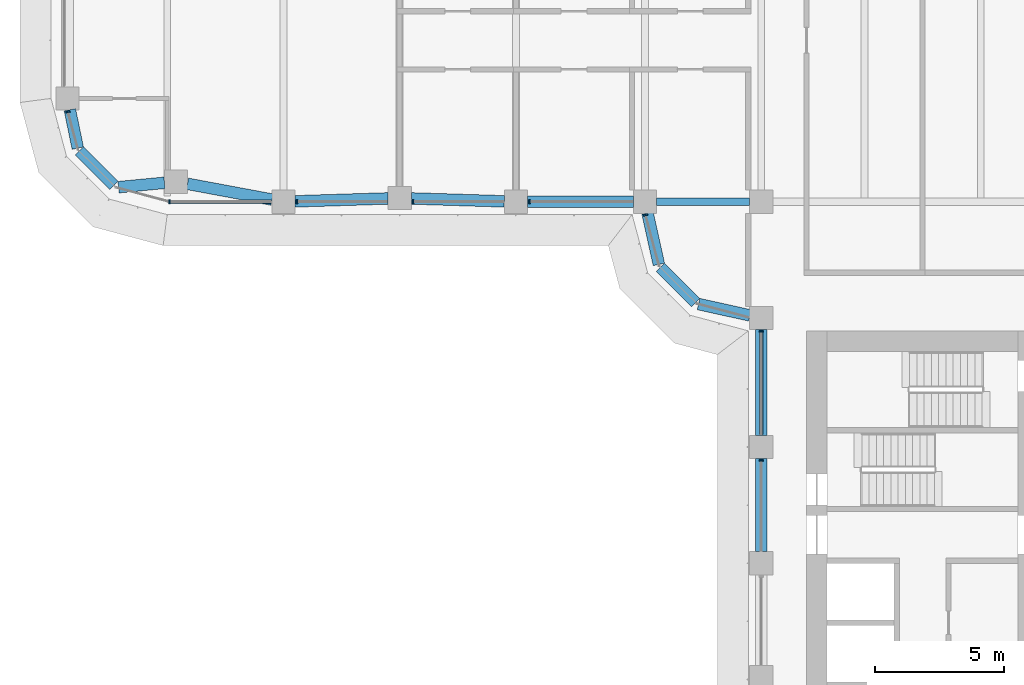
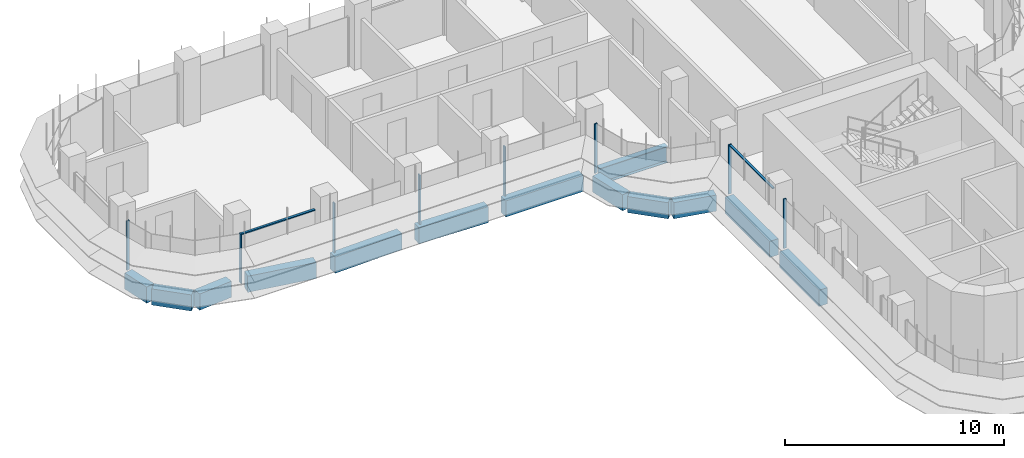
# One storey, part 3 of 23: 13 beams, 10 members, 4 elements without a shape of their own.
"""IFC4 building model written with IfcOpenShell, lengths in metres."""

from ifc_helpers import new_model, si_unit, direction, frame, origin, origin_2d, place, context, subcontext, project, spatial, polyline, rectangle, i_section, outline, extrude, source, transform, mapped, material, material_profile, profile_set, type_object, element, aggregate, save


model = new_model("IFC4")

# Units and contexts
model_context = context("Model", 3, precision=1e-05, world=origin(), true_north=direction((0.0, 1.0)))
body_context = subcontext(model_context, "Body", "Model", "MODEL_VIEW")
ifc_project = project(units=[si_unit("LENGTHUNIT", "METRE"), si_unit("AREAUNIT", "SQUARE_METRE"), si_unit("VOLUMEUNIT", "CUBIC_METRE"), si_unit("PLANEANGLEUNIT", "RADIAN"), si_unit("MASSUNIT", "GRAM", prefix="KILO")], contexts=[model_context])

# Site, building, storey
site_placement = place(None, origin())
site = spatial("IfcSite", under=ifc_project, at=site_placement, CompositionType="ELEMENT")
building_placement = place(site_placement, origin())
building = spatial("IfcBuilding", under=site, at=building_placement, Name="Zarbagh Exchange Tower", CompositionType="ELEMENT")
storey_placement = place(building_placement, frame((0.0, 0.0, 90.39990234375)))
storey = spatial("IfcBuildingStorey", under=building, at=storey_placement, Name="L20", CompositionType="ELEMENT", Elevation=90.39990234375)

# Beams
ifc_material_1 = material(Name="Steel ASTM A992 Gr 50", Category="steel")
ifc_material_profile_1 = material_profile(ifc_material_1, i_section(OverallWidth=0.3046875, OverallDepth=0.911865234375, WebThickness=0.015869140625, FlangeThickness=0.02392578125, at=origin_2d()), Name="W36X150")
ifc_profile_set_1 = profile_set([ifc_material_profile_1], Name="Steel ASTM A992 Gr 50")
beam_type_1 = type_object("IfcBeamType", Name="Floor girder W36X150", PredefinedType="BEAM", material=ifc_profile_set_1)
beam_1_placement = place(storey_placement, frame((-10.300048828125, -6.25, -0.605712890625), z_axis=(1.0, 0.0, 0.0), x_axis=(0.0, 1.0, 0.0)))
element("IfcBeam", 1, at=beam_1_placement, inside=storey, type_object=beam_type_1, Name="Steel girder", PredefinedType="BEAM", context=body_context, shape_type="SweptSolid", body=[
    extrude(i_section(OverallWidth=0.3046875, OverallDepth=0.911865234375, WebThickness=0.015869140625, FlangeThickness=0.02392578125, at=origin_2d()), origin(), (0.0, 0.0, 1.0), 3.60009765625),
])
ifc_material_2 = material(Name="Concrete C60/75", Category="concrete")
ifc_material_profile_2 = material_profile(ifc_material_2, rectangle(XDim=0.449951171875, YDim=0.89990234375, at=origin_2d()), Name="RC spandrel beam 450 x 900 C60/75")
ifc_profile_set_2 = profile_set([ifc_material_profile_2], Name="Concrete C60/75")
beam_type_2 = type_object("IfcBeamType", Name="RC spandrel beam 450 x 900 C60/75", PredefinedType="SPANDREL", material=ifc_profile_set_2)
beam_2_placement = place(storey_placement, frame((-6.25, -19.800048828125, -0.599853515625), z_axis=(0.0, 1.0, 0.0), x_axis=(-1.0, 0.0, 0.0)))
element("IfcBeam", 2, at=beam_2_placement, inside=storey, type_object=beam_type_2, Name="RC spandrel beam", PredefinedType="SPANDREL", context=body_context, shape_type="SweptSolid", body=[
    extrude(rectangle(XDim=0.449951171875, YDim=0.89990234375, at=origin_2d()), origin(), (0.0, 0.0, 1.0), 3.60009765625),
])
beam_3_placement = place(storey_placement, frame((-6.25, -15.300048828125, -0.599853515625), z_axis=(0.0, 1.0, 0.0), x_axis=(-1.0, 0.0, 0.0)))
element("IfcBeam", 3, at=beam_3_placement, inside=storey, type_object=beam_type_2, Name="RC spandrel beam", PredefinedType="SPANDREL", context=body_context, shape_type="SweptSolid", body=[
    extrude(rectangle(XDim=0.449951171875, YDim=0.89990234375, at=origin_2d()), origin(), (0.0, 0.0, 1.0), 4.10009765625),
])
beam_4_placement = place(storey_placement, frame((-6.689453125, -10.65283203125, -0.599853515625), z_axis=(-0.976367325525, 0.216117666208, 0.0), x_axis=(-0.216117666208, -0.976367325525, 0.0)))
element("IfcBeam", 4, at=beam_4_placement, inside=storey, type_object=beam_type_2, Name="RC spandrel beam", PredefinedType="SPANDREL", context=body_context, shape_type="SweptSolid", body=[
    extrude(rectangle(XDim=0.449951171875, YDim=0.89990234375, at=origin_2d()), origin(), (0.0, 0.0, 1.0), 2.03564453125),
])
beam_5_placement = place(storey_placement, frame((-8.78759765625, -10.15234375, -0.599853515625), z_axis=(-0.707106781187, 0.707106781187, 0.0), x_axis=(-0.707106781187, -0.707106781187, 0.0)))
element("IfcBeam", 5, at=beam_5_placement, inside=storey, type_object=beam_type_2, Name="RC spandrel beam", PredefinedType="SPANDREL", context=body_context, shape_type="SweptSolid", body=[
    extrude(rectangle(XDim=0.449951171875, YDim=0.89990234375, at=origin_2d()), origin(), (0.0, 0.0, 1.0), 1.929931640625),
])
beam_6_placement = place(storey_placement, frame((-10.212890625, -8.677001953125, -0.599853515625), z_axis=(-0.216117666208, 0.976367325525, 0.0), x_axis=(-0.976367325525, -0.216117666208, 0.0)))
element("IfcBeam", 6, at=beam_6_placement, inside=storey, type_object=beam_type_2, Name="RC spandrel beam", PredefinedType="SPANDREL", context=body_context, shape_type="SweptSolid", body=[
    extrude(rectangle(XDim=0.449951171875, YDim=0.89990234375, at=origin_2d()), origin(), (0.0, 0.0, 1.0), 2.03564453125),
])
beam_7_placement = place(storey_placement, frame((-11.199951171875, -6.25, -0.599853515625), z_axis=(-1.0, 0.0, 0.0), x_axis=(0.0, -1.0, 0.0)))
element("IfcBeam", 7, at=beam_7_placement, inside=storey, type_object=beam_type_2, Name="RC spandrel beam", PredefinedType="SPANDREL", context=body_context, shape_type="SweptSolid", body=[
    extrude(rectangle(XDim=0.449951171875, YDim=0.89990234375, at=origin_2d()), origin(), (0.0, 0.0, 1.0), 4.10009765625),
])
for number, where, z_axis, x_axis, name in (
    (8, (-16.19970703125, -6.236083984375, -0.599853515625), (-0.999516035224, 0.031107801747, 0.0), (-0.031107801747, -0.999516035224, 0.0), "RC spandrel beam"),
    (9, (-20.69970703125, -6.1240234375, -0.599853515625), (-0.999516035224, -0.031107801747, 0.0), (0.031107801747, -0.999516035224, 0.0), "RC spandrel beam"),
):
    element("IfcBeam", number, at=place(storey_placement, frame(where, z_axis=z_axis, x_axis=x_axis)), inside=storey, type_object=beam_type_2, Name=name, PredefinedType="SPANDREL", context=body_context, shape_type="SweptSolid", body=[
        extrude(rectangle(XDim=0.449951171875, YDim=0.89990234375, at=origin_2d()), origin(), (0.0, 0.0, 1.0), 3.602294921875),
    ])
beam_8_placement = place(storey_placement, frame((-25.1923828125, -6.16748046875, -0.599853515625), z_axis=(-0.98308156541, 0.183168326277, 0.0), x_axis=(-0.183168326277, -0.98308156541, 0.0)))
element("IfcBeam", 10, at=beam_8_placement, inside=storey, type_object=beam_type_2, Name="RC spandrel beam", PredefinedType="SPANDREL", context=body_context, shape_type="SweptSolid", body=[
    extrude(rectangle(XDim=0.449951171875, YDim=0.89990234375, at=origin_2d()), origin(), (0.0, 0.0, 1.0), 3.32958984375),
])
beam_9_placement = place(storey_placement, frame((-29.35595703125, -5.51806640625, -0.599853515625), z_axis=(-0.995433267802, -0.095459988228, 0.0), x_axis=(0.095459988228, -0.995433267802, 0.0)))
element("IfcBeam", 11, at=beam_9_placement, inside=storey, type_object=beam_type_2, Name="RC spandrel beam", PredefinedType="SPANDREL", context=body_context, shape_type="SweptSolid", body=[
    extrude(rectangle(XDim=0.449951171875, YDim=0.89990234375, at=origin_2d()), origin(), (0.0, 0.0, 1.0), 1.78759765625),
])
beam_10_placement = place(storey_placement, frame((-31.316162109375, -5.623779296875, -0.599853515625), z_axis=(-0.707106781187, 0.707106781187, 0.0), x_axis=(-0.707106781187, -0.707106781187, 0.0)))
element("IfcBeam", 12, at=beam_10_placement, inside=storey, type_object=beam_type_2, Name="RC spandrel beam", PredefinedType="SPANDREL", context=body_context, shape_type="SweptSolid", body=[
    extrude(rectangle(XDim=0.449951171875, YDim=0.89990234375, at=origin_2d()), origin(), (0.0, 0.0, 1.0), 1.887939453125),
])
beam_11_placement = place(storey_placement, frame((-32.71240234375, -4.17529296875, -0.599853515625), z_axis=(-0.202275417995, 0.979328675816, 0.0), x_axis=(-0.979328675816, -0.202275417995, 0.0)))
element("IfcBeam", 13, at=beam_11_placement, inside=storey, type_object=beam_type_2, Name="RC spandrel beam", PredefinedType="SPANDREL", context=body_context, shape_type="SweptSolid", body=[
    extrude(rectangle(XDim=0.449951171875, YDim=0.89990234375, at=origin_2d()), origin(), (0.0, 0.0, 1.0), 1.515869140625),
])

# Curtain wall, member
ifc_material_3 = material(Name="Anodised aluminium frame and glazing", Category="aluminium")
curtain_wall_type = type_object("IfcCurtainWallType", Name="CWA Ribbon glazing, lower zones", PredefinedType="NOTDEFINED", material=ifc_material_3)
curtain_wall_1_placement = place(storey_placement, origin())
curtain_wall_1 = element("IfcCurtainWall", 14, at=curtain_wall_1_placement, inside=storey, type_object=curtain_wall_type, Name="CWA37 curtain wall", PredefinedType="NOTDEFINED")
ifc_material_4 = material(Name="Anodised aluminium frame", Category="aluminium")
member_type_1 = type_object("IfcMemberType", Name="MUA Mullion, anodised aluminium frame", PredefinedType="MULLION", material=ifc_material_4)
shared_shape_1 = source(origin(), body_context, "Body", "SweptSolid", [
    extrude(outline(polyline([(0.0, -0.080078125), (0.06005859375, -0.080078125), (0.06005859375, 0.080078125), (0.0, 0.080078125), (0.0, -0.080078125)])), origin(), (0.0, 0.0, 1.0), 2.75),
])
placement = place(storey_placement, origin())
member_1 = element("IfcMember", 15, at=placement, type_object=member_type_1, Name="CWA37 mullion 1.1", PredefinedType="MULLION", context=body_context, shape_type="MappedRepresentation", body=[
    mapped(shared_shape_1, transform((-33.10107421875, -2.739990234375, 0.0), x_axis=(0.258824779902, -0.965924289636, 0.0), y_axis=(0.965924289636, 0.258824779902, 0.0), z_axis=(0.0, 0.0, 1.0))),
])
aggregate(curtain_wall_1, [member_1])

# Curtain wall, members
curtain_wall_2_placement = place(storey_placement, origin())
curtain_wall_2 = element("IfcCurtainWall", 16, at=curtain_wall_2_placement, inside=storey, type_object=curtain_wall_type, Name="CWA40 curtain wall", PredefinedType="NOTDEFINED")
member_2 = element("IfcMember", 17, at=placement, type_object=member_type_1, Name="CWA40 mullion 1.1", PredefinedType="MULLION", context=body_context, shape_type="MappedRepresentation", body=[
    mapped(shared_shape_1, transform((-29.18408203125, -6.25, 0.0), x_axis=(1.0, 0.0, 0.0), y_axis=(0.0, 1.0, 0.0), z_axis=(0.0, 0.0, 1.0))),
])
member_3 = element("IfcMember", 18, at=placement, type_object=member_type_1, Name="CWA40 mullion 2.1", PredefinedType="MULLION", context=body_context, shape_type="MappedRepresentation", body=[
    mapped(shared_shape_1, transform((-24.260009765625, -6.25, 0.0), x_axis=(1.0, 0.0, 0.0), y_axis=(0.0, 1.0, 0.0), z_axis=(0.0, 0.0, 1.0))),
])
member_4 = element("IfcMember", 19, at=placement, type_object=member_type_1, Name="CWA40 mullion 3.1", PredefinedType="MULLION", context=body_context, shape_type="MappedRepresentation", body=[
    mapped(shared_shape_1, transform((-19.760009765625, -6.25, 0.0), x_axis=(1.0, 0.0, 0.0), y_axis=(0.0, 1.0, 0.0), z_axis=(0.0, 0.0, 1.0))),
])
member_5 = element("IfcMember", 20, at=placement, type_object=member_type_1, Name="CWA40 mullion 4.1", PredefinedType="MULLION", context=body_context, shape_type="MappedRepresentation", body=[
    mapped(shared_shape_1, transform((-15.260009765625, -6.25, 0.0), x_axis=(1.0, 0.0, 0.0), y_axis=(0.0, 1.0, 0.0), z_axis=(0.0, 0.0, 1.0))),
])

# Curtain wall, member
curtain_wall_3_placement = place(storey_placement, origin())
curtain_wall_3 = element("IfcCurtainWall", 21, at=curtain_wall_3_placement, inside=storey, type_object=curtain_wall_type, Name="CWA41 curtain wall", PredefinedType="NOTDEFINED")
member_6 = element("IfcMember", 22, at=placement, type_object=member_type_1, Name="CWA41 mullion 1.1", PredefinedType="MULLION", context=body_context, shape_type="MappedRepresentation", body=[
    mapped(shared_shape_1, transform((-10.735107421875, -6.739990234375, 0.0), x_axis=(0.258824779902, -0.965924289636, 0.0), y_axis=(0.965924289636, 0.258824779902, 0.0), z_axis=(0.0, 0.0, 1.0))),
])
aggregate(curtain_wall_3, [member_6])

# Curtain wall, members
curtain_wall_4_placement = place(storey_placement, origin())
curtain_wall_4 = element("IfcCurtainWall", 23, at=curtain_wall_4_placement, inside=storey, type_object=curtain_wall_type, Name="CWA44 curtain wall", PredefinedType="NOTDEFINED")
member_7 = element("IfcMember", 24, at=placement, type_object=member_type_1, Name="CWA44 mullion 1.1", PredefinedType="MULLION", context=body_context, shape_type="MappedRepresentation", body=[
    mapped(shared_shape_1, transform((-6.25, -11.239990234375, 0.0), x_axis=(0.0, -1.0, 0.0), y_axis=(1.0, 0.0, 0.0), z_axis=(0.0, 0.0, 1.0))),
])
member_8 = element("IfcMember", 25, at=placement, type_object=member_type_1, Name="CWA44 mullion 2.1", PredefinedType="MULLION", context=body_context, shape_type="MappedRepresentation", body=[
    mapped(shared_shape_1, transform((-6.25, -16.239990234375, 0.0), x_axis=(0.0, -1.0, 0.0), y_axis=(1.0, 0.0, 0.0), z_axis=(0.0, 0.0, 1.0))),
])
member_type_2 = type_object("IfcMemberType", Name="TRA Transom, anodised aluminium frame", PredefinedType="USERDEFINED", material=ifc_material_4)
shared_shape_2 = source(origin(), body_context, "Body", "SweptSolid", [
    extrude(outline(polyline([(-0.06005859375, -0.06005859375), (0.0, -0.06005859375), (0.0, 0.06005859375), (-0.06005859375, 0.06005859375), (-0.06005859375, -0.06005859375)])), origin(), (0.0, 0.0, 1.0), 3.9599609375),
])
member_9 = element("IfcMember", 26, at=placement, type_object=member_type_2, Name="CWA44 transom 1.1", ObjectType="TRANSOM", PredefinedType="USERDEFINED", context=body_context, shape_type="MappedRepresentation", body=[
    mapped(shared_shape_2, transform((-6.25, -11.300048828125, 2.75), x_axis=(0.0, 0.0, 1.0), y_axis=(-1.0, 0.0, 0.0), z_axis=(0.0, -1.0, 0.0))),
])
aggregate(curtain_wall_4, [member_7, member_9, member_8])

# Member
shared_shape_3 = source(origin(), body_context, "Body", "SweptSolid", [
    extrude(outline(polyline([(-0.06005859375, -0.06005859375), (0.0, -0.06005859375), (0.0, 0.06005859375), (-0.06005859375, 0.06005859375), (-0.06005859375, -0.06005859375)])), origin(), (0.0, 0.0, 1.0), 3.88427734375),
])
member_10 = element("IfcMember", 27, at=placement, type_object=member_type_2, Name="CWA40 transom 1.1", ObjectType="TRANSOM", PredefinedType="USERDEFINED", context=body_context, shape_type="MappedRepresentation", body=[
    mapped(shared_shape_3, transform((-29.124267578125, -6.25, 2.75), x_axis=(0.0, 0.0, 1.0), y_axis=(0.0, -1.0, 0.0), z_axis=(1.0, 0.0, 0.0))),
])

aggregate(curtain_wall_2, [member_2, member_10, member_3, member_4, member_5])

save(model, "model.ifc")
